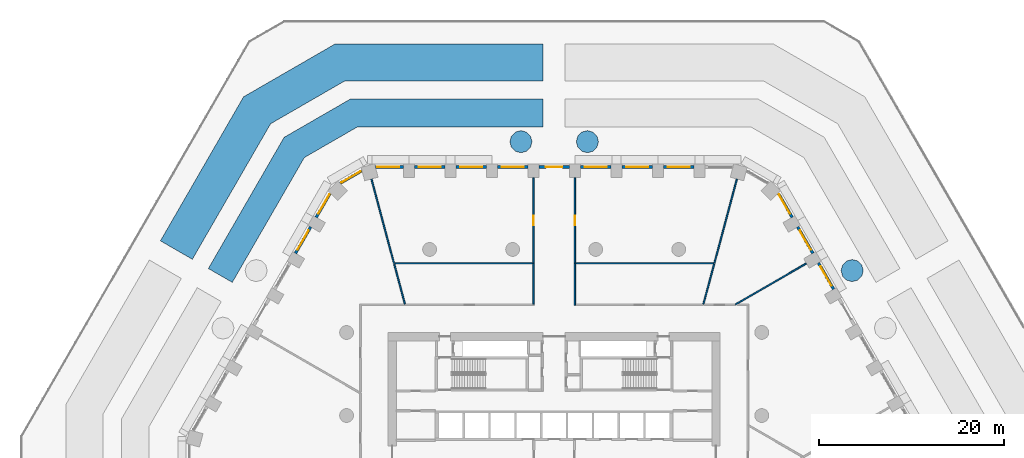
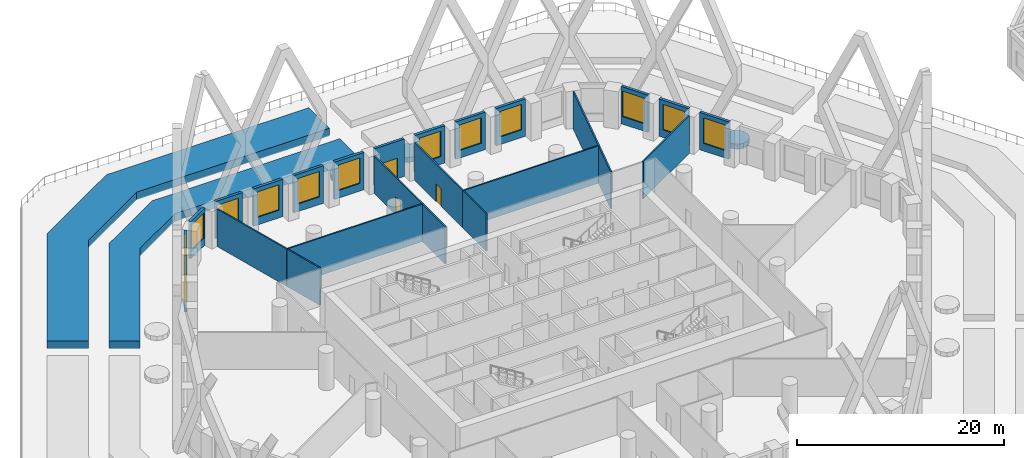
# One storey, part 12 of 27: 30 walls, 13 windows, 3 doors, 16 openings.
"""IFC4 building model written with IfcOpenShell, lengths in metres."""

from ifc_helpers import new_model, si_unit, direction, frame, frame_2d, origin, place, context, subcontext, project, spatial, polyline, rectangle, outline, extrude, material, layer, layer_set, type_object, element, fill, save


model = new_model("IFC4")

# Units and contexts
model_context = context("Model", 3, precision=1e-05, world=origin(), true_north=direction((0.0, 1.0)))
body_context = subcontext(model_context, "Body", "Model", "MODEL_VIEW")
ifc_project = project(units=[si_unit("LENGTHUNIT", "METRE"), si_unit("AREAUNIT", "SQUARE_METRE"), si_unit("VOLUMEUNIT", "CUBIC_METRE"), si_unit("PLANEANGLEUNIT", "RADIAN"), si_unit("MASSUNIT", "GRAM", prefix="KILO")], contexts=[model_context])

# Site, building, storey
site_placement = place(None, origin())
site = spatial("IfcSite", under=ifc_project, at=site_placement, CompositionType="ELEMENT")
building_placement = place(site_placement, origin())
building = spatial("IfcBuilding", under=site, at=building_placement, Name="Dhurran Vertical Campus", CompositionType="ELEMENT")
storey_placement = place(building_placement, frame((0.0, 0.0, 10.800048828125)))
storey = spatial("IfcBuildingStorey", under=building, at=storey_placement, Name="L02", CompositionType="ELEMENT", Elevation=10.800048828125)

# Wall, opening, window
ifc_material_1 = material(Name="Precast concrete C50/60", Category="concrete")
ifc_layer_1 = layer(ifc_material_1, 0.300048828125)
ifc_layer_set_1 = layer_set([ifc_layer_1], Name="Precast concrete C50/60")
wall_type_1 = type_object("IfcWallType", Name="Precast spandrel wall 300", PredefinedType="SOLIDWALL", material=ifc_layer_set_1)
wall_1_placement = place(storey_placement, frame((30.293701171875, 18.18359375, 0.0), z_axis=(0.0, 0.0, 1.0), x_axis=(-0.499991515992, 0.866030301974, 0.0)))
wall_1 = element("IfcWall", 1, at=wall_1_placement, inside=storey, type_object=wall_type_1, Name="EW1 L02.22", PredefinedType="SOLIDWALL", context=body_context, shape_type="SweptSolid", body=[
    extrude(rectangle(XDim=3.298828125, YDim=0.300048828125, at=frame_2d((1.6494140625, 0.0))), origin(), (0.0, 0.0, 1.0), 4.39990234375),
])
opening_1_placement = place(wall_1_placement, frame((0.449462890625, 0.0, 0.89990234375)))
opening_1 = element("IfcOpeningElement", 2, at=opening_1_placement, cuts=wall_1, Name="Opening WT2", PredefinedType="OPENING", context=body_context, shape_type="SweptSolid", body=[
    extrude(rectangle(XDim=2.39990234375, YDim=3.0, at=frame_2d((1.199951171875, 1.5))), frame((0.0, 0.159912109375, 0.0), z_axis=(0.0, -1.0, 0.0), x_axis=(1.0, 0.0, 0.0)), (0.0, 0.0, 1.0), 0.320068359375),
])
ifc_material_2 = material(Name="Aluminium frame with solar-control glass", Category="aluminium")
window_type = type_object("IfcWindowType", Name="Podium window 2400 x 3000", PartitioningType="SINGLE_PANEL", PredefinedType="WINDOW", material=ifc_material_2)
window_1_placement = place(opening_1_placement, origin())
window_1 = element("IfcWindow", 3, at=window_1_placement, inside=storey, type_object=window_type, Name="WT2 L02.22", OverallHeight=3.0, OverallWidth=2.39990234375, PartitioningType="SINGLE_PANEL", PredefinedType="WINDOW", context=body_context, shape_type="SweptSolid", body=[
    extrude(rectangle(XDim=2.39990234375, YDim=3.0, at=frame_2d((1.199951171875, 1.5))), frame((0.0, 0.030029296875, 0.0), z_axis=(0.0, -1.0, 0.0), x_axis=(1.0, 0.0, 0.0)), (0.0, 0.0, 1.0), 0.06005859375),
])
fill(opening_1, window_1)

wall_2_placement = place(storey_placement, frame((28.043701171875, 22.08056640625, 0.0), z_axis=(0.0, 0.0, 1.0), x_axis=(-0.499991515992, 0.866030301974, 0.0)))
wall_2 = element("IfcWall", 4, at=wall_2_placement, inside=storey, type_object=wall_type_1, Name="EW1 L02.23", PredefinedType="SOLIDWALL", context=body_context, shape_type="SweptSolid", body=[
    extrude(rectangle(XDim=3.298828125, YDim=0.300048828125, at=frame_2d((1.6494140625, 0.0))), origin(), (0.0, 0.0, 1.0), 4.39990234375),
])
opening_2_placement = place(wall_2_placement, frame((0.449462890625, 0.0, 0.89990234375)))
opening_2 = element("IfcOpeningElement", 5, at=opening_2_placement, cuts=wall_2, Name="Opening WT2", PredefinedType="OPENING", context=body_context, shape_type="SweptSolid", body=[
    extrude(rectangle(XDim=2.39990234375, YDim=3.0, at=frame_2d((1.199951171875, 1.5))), frame((0.0, 0.159912109375, 0.0), z_axis=(0.0, -1.0, 0.0), x_axis=(1.0, 0.0, 0.0)), (0.0, 0.0, 1.0), 0.320068359375),
])
window_2_placement = place(opening_2_placement, origin())
window_2 = element("IfcWindow", 6, at=window_2_placement, inside=storey, type_object=window_type, Name="WT2 L02.23", OverallHeight=3.0, OverallWidth=2.39990234375, PartitioningType="SINGLE_PANEL", PredefinedType="WINDOW", context=body_context, shape_type="SweptSolid", body=[
    extrude(rectangle(XDim=2.39990234375, YDim=3.0, at=frame_2d((1.199951171875, 1.5))), frame((0.0, 0.030029296875, 0.0), z_axis=(0.0, -1.0, 0.0), x_axis=(1.0, 0.0, 0.0)), (0.0, 0.0, 1.0), 0.06005859375),
])
fill(opening_2, window_2)

wall_3_placement = place(storey_placement, frame((25.793701171875, 25.977783203125, 0.0), z_axis=(0.0, 0.0, 1.0), x_axis=(-0.49999586137, 0.866027793211, 0.0)))
wall_3 = element("IfcWall", 7, at=wall_3_placement, inside=storey, type_object=wall_type_1, Name="EW1 L02.24", PredefinedType="SOLIDWALL", context=body_context, shape_type="SweptSolid", body=[
    extrude(rectangle(XDim=2.98876953125, YDim=0.300048828125, at=frame_2d((1.494384765625, 0.0))), origin(), (0.0, 0.0, 1.0), 4.39990234375),
])
opening_3_placement = place(wall_3_placement, frame((0.449462890625, 0.0, 0.89990234375)))
opening_3 = element("IfcOpeningElement", 8, at=opening_3_placement, cuts=wall_3, Name="Opening WT2", PredefinedType="OPENING", context=body_context, shape_type="SweptSolid", body=[
    extrude(rectangle(XDim=2.39990234375, YDim=3.0, at=frame_2d((1.199951171875, 1.5))), frame((0.0, 0.159912109375, 0.0), z_axis=(0.0, -1.0, 0.0), x_axis=(1.0, 0.0, 0.0)), (0.0, 0.0, 1.0), 0.320068359375),
])
window_3_placement = place(opening_3_placement, origin())
window_3 = element("IfcWindow", 9, at=window_3_placement, inside=storey, type_object=window_type, Name="WT2 L02.24", OverallHeight=3.0, OverallWidth=2.39990234375, PartitioningType="SINGLE_PANEL", PredefinedType="WINDOW", context=body_context, shape_type="SweptSolid", body=[
    extrude(rectangle(XDim=2.39990234375, YDim=3.0, at=frame_2d((1.199951171875, 1.5))), frame((0.0, 0.030029296875, 0.0), z_axis=(0.0, -1.0, 0.0), x_axis=(1.0, 0.0, 0.0)), (0.0, 0.0, 1.0), 0.06005859375),
])
fill(opening_3, window_3)

wall_4_placement = place(storey_placement, frame((15.1494140625, 31.4296875, 0.0), z_axis=(0.0, 0.0, 1.0), x_axis=(-1.0, 0.0, 0.0)))
wall_4 = element("IfcWall", 10, at=wall_4_placement, inside=storey, type_object=wall_type_1, Name="EW1 L02.27", PredefinedType="SOLIDWALL", context=body_context, shape_type="SweptSolid", body=[
    extrude(rectangle(XDim=3.298828125, YDim=0.300048828125, at=frame_2d((1.6494140625, 0.0))), origin(), (0.0, 0.0, 1.0), 4.39990234375),
])
opening_4_placement = place(wall_4_placement, frame((0.449462890625, 0.0, 0.89990234375)))
opening_4 = element("IfcOpeningElement", 11, at=opening_4_placement, cuts=wall_4, Name="Opening WT2", PredefinedType="OPENING", context=body_context, shape_type="SweptSolid", body=[
    extrude(rectangle(XDim=2.39990234375, YDim=3.0, at=frame_2d((1.199951171875, 1.5))), frame((0.0, 0.159912109375, 0.0), z_axis=(0.0, -1.0, 0.0), x_axis=(1.0, 0.0, 0.0)), (0.0, 0.0, 1.0), 0.320068359375),
])
window_4_placement = place(opening_4_placement, origin())
window_4 = element("IfcWindow", 12, at=window_4_placement, inside=storey, type_object=window_type, Name="WT2 L02.27", OverallHeight=3.0, OverallWidth=2.39990234375, PartitioningType="SINGLE_PANEL", PredefinedType="WINDOW", context=body_context, shape_type="SweptSolid", body=[
    extrude(rectangle(XDim=2.39990234375, YDim=3.0, at=frame_2d((1.199951171875, 1.5))), frame((0.0, 0.030029296875, 0.0), z_axis=(0.0, -1.0, 0.0), x_axis=(1.0, 0.0, 0.0)), (0.0, 0.0, 1.0), 0.06005859375),
])
fill(opening_4, window_4)

wall_5_placement = place(storey_placement, frame((10.6494140625, 31.4296875, 0.0), z_axis=(0.0, 0.0, 1.0), x_axis=(-1.0, 0.0, 0.0)))
wall_5 = element("IfcWall", 13, at=wall_5_placement, inside=storey, type_object=wall_type_1, Name="EW1 L02.28", PredefinedType="SOLIDWALL", context=body_context, shape_type="SweptSolid", body=[
    extrude(rectangle(XDim=3.298828125, YDim=0.300048828125, at=frame_2d((1.6494140625, 0.0))), origin(), (0.0, 0.0, 1.0), 4.39990234375),
])
opening_5_placement = place(wall_5_placement, frame((0.449462890625, 0.0, 0.89990234375)))
opening_5 = element("IfcOpeningElement", 14, at=opening_5_placement, cuts=wall_5, Name="Opening WT2", PredefinedType="OPENING", context=body_context, shape_type="SweptSolid", body=[
    extrude(rectangle(XDim=2.39990234375, YDim=3.0, at=frame_2d((1.199951171875, 1.5))), frame((0.0, 0.159912109375, 0.0), z_axis=(0.0, -1.0, 0.0), x_axis=(1.0, 0.0, 0.0)), (0.0, 0.0, 1.0), 0.320068359375),
])
window_5_placement = place(opening_5_placement, origin())
window_5 = element("IfcWindow", 15, at=window_5_placement, inside=storey, type_object=window_type, Name="WT2 L02.28", OverallHeight=3.0, OverallWidth=2.39990234375, PartitioningType="SINGLE_PANEL", PredefinedType="WINDOW", context=body_context, shape_type="SweptSolid", body=[
    extrude(rectangle(XDim=2.39990234375, YDim=3.0, at=frame_2d((1.199951171875, 1.5))), frame((0.0, 0.030029296875, 0.0), z_axis=(0.0, -1.0, 0.0), x_axis=(1.0, 0.0, 0.0)), (0.0, 0.0, 1.0), 0.06005859375),
])
fill(opening_5, window_5)

wall_6_placement = place(storey_placement, frame((6.1494140625, 31.4296875, 0.0), z_axis=(0.0, 0.0, 1.0), x_axis=(-1.0, 0.0, 0.0)))
wall_6 = element("IfcWall", 16, at=wall_6_placement, inside=storey, type_object=wall_type_1, Name="EW1 L02.29", PredefinedType="SOLIDWALL", context=body_context, shape_type="SweptSolid", body=[
    extrude(rectangle(XDim=3.298828125, YDim=0.300048828125, at=frame_2d((1.6494140625, 0.0))), origin(), (0.0, 0.0, 1.0), 4.39990234375),
])
opening_6_placement = place(wall_6_placement, frame((0.449462890625, 0.0, 0.89990234375)))
opening_6 = element("IfcOpeningElement", 17, at=opening_6_placement, cuts=wall_6, Name="Opening WT2", PredefinedType="OPENING", context=body_context, shape_type="SweptSolid", body=[
    extrude(rectangle(XDim=2.39990234375, YDim=3.0, at=frame_2d((1.199951171875, 1.5))), frame((0.0, 0.159912109375, 0.0), z_axis=(0.0, -1.0, 0.0), x_axis=(1.0, 0.0, 0.0)), (0.0, 0.0, 1.0), 0.320068359375),
])
window_6_placement = place(opening_6_placement, origin())
window_6 = element("IfcWindow", 18, at=window_6_placement, inside=storey, type_object=window_type, Name="WT2 L02.29", OverallHeight=3.0, OverallWidth=2.39990234375, PartitioningType="SINGLE_PANEL", PredefinedType="WINDOW", context=body_context, shape_type="SweptSolid", body=[
    extrude(rectangle(XDim=2.39990234375, YDim=3.0, at=frame_2d((1.199951171875, 1.5))), frame((0.0, 0.030029296875, 0.0), z_axis=(0.0, -1.0, 0.0), x_axis=(1.0, 0.0, 0.0)), (0.0, 0.0, 1.0), 0.06005859375),
])
fill(opening_6, window_6)

# Wall, opening, door
wall_7_placement = place(storey_placement, frame((-1.6494140625, 31.4296875, 0.0), z_axis=(0.0, 0.0, 1.0), x_axis=(1.0, 0.0, 0.0)))
wall_7 = element("IfcWall", 19, at=wall_7_placement, inside=storey, type_object=wall_type_1, Name="EW1 L02.30", PredefinedType="SOLIDWALL", context=body_context, shape_type="SweptSolid", body=[
    extrude(rectangle(XDim=3.298828125, YDim=0.300048828125, at=frame_2d((1.6494140625, 0.0))), origin(), (0.0, 0.0, 1.0), 4.39990234375),
])
opening_7_placement = place(wall_7_placement, frame((0.74951171875, 0.0, 0.0)))
opening_7 = element("IfcOpeningElement", 20, at=opening_7_placement, cuts=wall_7, Name="Opening D102", PredefinedType="OPENING", context=body_context, shape_type="SweptSolid", body=[
    extrude(rectangle(XDim=1.800048828125, YDim=2.39990234375, at=frame_2d((0.89990234375, 1.199951171875))), frame((0.0, 0.159912109375, 0.0), z_axis=(0.0, -1.0, 0.0), x_axis=(1.0, 0.0, 0.0)), (0.0, 0.0, 1.0), 0.320068359375),
])
ifc_material_3 = material(Name="Aluminium and clear glass", Category="aluminium")
door_type_1 = type_object("IfcDoorType", Name="Aluminium and glass garden door pair 1800 x 2400", OperationType="DOUBLE_DOOR_SINGLE_SWING", PredefinedType="DOOR", material=ifc_material_3)
door_1_placement = place(opening_7_placement, origin())
door_1 = element("IfcDoor", 21, at=door_1_placement, inside=storey, type_object=door_type_1, Name="D102 garden deck door", OperationType="DOUBLE_DOOR_SINGLE_SWING", OverallHeight=2.39990234375, OverallWidth=1.800048828125, PredefinedType="DOOR", context=body_context, shape_type="SweptSolid", body=[
    extrude(rectangle(XDim=1.800048828125, YDim=2.39990234375, at=frame_2d((0.89990234375, 1.199951171875))), frame((0.0, 0.02490234375, 0.0), z_axis=(0.0, -1.0, 0.0), x_axis=(1.0, 0.0, 0.0)), (0.0, 0.0, 1.0), 0.050048828125),
])
fill(opening_7, door_1)

# Wall, opening, window
wall_8_placement = place(storey_placement, frame((-2.8505859375, 31.4296875, 0.0), z_axis=(0.0, 0.0, 1.0), x_axis=(-1.0, 0.0, 0.0)))
wall_8 = element("IfcWall", 22, at=wall_8_placement, inside=storey, type_object=wall_type_1, Name="EW1 L02.31", PredefinedType="SOLIDWALL", context=body_context, shape_type="SweptSolid", body=[
    extrude(rectangle(XDim=3.298828125, YDim=0.300048828125, at=frame_2d((1.6494140625, 0.0))), origin(), (0.0, 0.0, 1.0), 4.39990234375),
])
opening_8_placement = place(wall_8_placement, frame((0.449462890625, 0.0, 0.89990234375)))
opening_8 = element("IfcOpeningElement", 23, at=opening_8_placement, cuts=wall_8, Name="Opening WT2", PredefinedType="OPENING", context=body_context, shape_type="SweptSolid", body=[
    extrude(rectangle(XDim=2.39990234375, YDim=3.0, at=frame_2d((1.199951171875, 1.5))), frame((0.0, 0.159912109375, 0.0), z_axis=(0.0, -1.0, 0.0), x_axis=(1.0, 0.0, 0.0)), (0.0, 0.0, 1.0), 0.320068359375),
])
window_7_placement = place(opening_8_placement, origin())
window_7 = element("IfcWindow", 24, at=window_7_placement, inside=storey, type_object=window_type, Name="WT2 L02.31", OverallHeight=3.0, OverallWidth=2.39990234375, PartitioningType="SINGLE_PANEL", PredefinedType="WINDOW", context=body_context, shape_type="SweptSolid", body=[
    extrude(rectangle(XDim=2.39990234375, YDim=3.0, at=frame_2d((1.199951171875, 1.5))), frame((0.0, 0.030029296875, 0.0), z_axis=(0.0, -1.0, 0.0), x_axis=(1.0, 0.0, 0.0)), (0.0, 0.0, 1.0), 0.06005859375),
])
fill(opening_8, window_7)

wall_9_placement = place(storey_placement, frame((-7.3505859375, 31.4296875, 0.0), z_axis=(0.0, 0.0, 1.0), x_axis=(-1.0, 0.0, 0.0)))
wall_9 = element("IfcWall", 25, at=wall_9_placement, inside=storey, type_object=wall_type_1, Name="EW1 L02.32", PredefinedType="SOLIDWALL", context=body_context, shape_type="SweptSolid", body=[
    extrude(rectangle(XDim=3.298828125, YDim=0.300048828125, at=frame_2d((1.6494140625, 0.0))), origin(), (0.0, 0.0, 1.0), 4.39990234375),
])
opening_9_placement = place(wall_9_placement, frame((0.449462890625, 0.0, 0.89990234375)))
opening_9 = element("IfcOpeningElement", 26, at=opening_9_placement, cuts=wall_9, Name="Opening WT2", PredefinedType="OPENING", context=body_context, shape_type="SweptSolid", body=[
    extrude(rectangle(XDim=2.39990234375, YDim=3.0, at=frame_2d((1.199951171875, 1.5))), frame((0.0, 0.159912109375, 0.0), z_axis=(0.0, -1.0, 0.0), x_axis=(1.0, 0.0, 0.0)), (0.0, 0.0, 1.0), 0.320068359375),
])
window_8_placement = place(opening_9_placement, origin())
window_8 = element("IfcWindow", 27, at=window_8_placement, inside=storey, type_object=window_type, Name="WT2 L02.32", OverallHeight=3.0, OverallWidth=2.39990234375, PartitioningType="SINGLE_PANEL", PredefinedType="WINDOW", context=body_context, shape_type="SweptSolid", body=[
    extrude(rectangle(XDim=2.39990234375, YDim=3.0, at=frame_2d((1.199951171875, 1.5))), frame((0.0, 0.030029296875, 0.0), z_axis=(0.0, -1.0, 0.0), x_axis=(1.0, 0.0, 0.0)), (0.0, 0.0, 1.0), 0.06005859375),
])
fill(opening_9, window_8)

wall_10_placement = place(storey_placement, frame((-11.8505859375, 31.4296875, 0.0), z_axis=(0.0, 0.0, 1.0), x_axis=(-1.0, 0.0, 0.0)))
wall_10 = element("IfcWall", 28, at=wall_10_placement, inside=storey, type_object=wall_type_1, Name="EW1 L02.33", PredefinedType="SOLIDWALL", context=body_context, shape_type="SweptSolid", body=[
    extrude(rectangle(XDim=3.298828125, YDim=0.300048828125, at=frame_2d((1.6494140625, 0.0))), origin(), (0.0, 0.0, 1.0), 4.39990234375),
])
opening_10_placement = place(wall_10_placement, frame((0.449462890625, 0.0, 0.89990234375)))
opening_10 = element("IfcOpeningElement", 29, at=opening_10_placement, cuts=wall_10, Name="Opening WT2", PredefinedType="OPENING", context=body_context, shape_type="SweptSolid", body=[
    extrude(rectangle(XDim=2.39990234375, YDim=3.0, at=frame_2d((1.199951171875, 1.5))), frame((0.0, 0.159912109375, 0.0), z_axis=(0.0, -1.0, 0.0), x_axis=(1.0, 0.0, 0.0)), (0.0, 0.0, 1.0), 0.320068359375),
])
window_9_placement = place(opening_10_placement, origin())
window_9 = element("IfcWindow", 30, at=window_9_placement, inside=storey, type_object=window_type, Name="WT2 L02.33", OverallHeight=3.0, OverallWidth=2.39990234375, PartitioningType="SINGLE_PANEL", PredefinedType="WINDOW", context=body_context, shape_type="SweptSolid", body=[
    extrude(rectangle(XDim=2.39990234375, YDim=3.0, at=frame_2d((1.199951171875, 1.5))), frame((0.0, 0.030029296875, 0.0), z_axis=(0.0, -1.0, 0.0), x_axis=(1.0, 0.0, 0.0)), (0.0, 0.0, 1.0), 0.06005859375),
])
fill(opening_10, window_9)

wall_11_placement = place(storey_placement, frame((-16.3505859375, 31.4296875, 0.0), z_axis=(0.0, 0.0, 1.0), x_axis=(-1.0, 0.0, 0.0)))
wall_11 = element("IfcWall", 31, at=wall_11_placement, inside=storey, type_object=wall_type_1, Name="EW1 L02.34", PredefinedType="SOLIDWALL", context=body_context, shape_type="SweptSolid", body=[
    extrude(rectangle(XDim=2.98876953125, YDim=0.300048828125, at=frame_2d((1.494384765625, 0.0))), origin(), (0.0, 0.0, 1.0), 4.39990234375),
])
opening_11_placement = place(wall_11_placement, frame((0.449462890625, 0.0, 0.89990234375)))
opening_11 = element("IfcOpeningElement", 32, at=opening_11_placement, cuts=wall_11, Name="Opening WT2", PredefinedType="OPENING", context=body_context, shape_type="SweptSolid", body=[
    extrude(rectangle(XDim=2.39990234375, YDim=3.0, at=frame_2d((1.199951171875, 1.5))), frame((0.0, 0.159912109375, 0.0), z_axis=(0.0, -1.0, 0.0), x_axis=(1.0, 0.0, 0.0)), (0.0, 0.0, 1.0), 0.320068359375),
])
window_10_placement = place(opening_11_placement, origin())
window_10 = element("IfcWindow", 33, at=window_10_placement, inside=storey, type_object=window_type, Name="WT2 L02.34", OverallHeight=3.0, OverallWidth=2.39990234375, PartitioningType="SINGLE_PANEL", PredefinedType="WINDOW", context=body_context, shape_type="SweptSolid", body=[
    extrude(rectangle(XDim=2.39990234375, YDim=3.0, at=frame_2d((1.199951171875, 1.5))), frame((0.0, 0.030029296875, 0.0), z_axis=(0.0, -1.0, 0.0), x_axis=(1.0, 0.0, 0.0)), (0.0, 0.0, 1.0), 0.06005859375),
])
fill(opening_11, window_10)

wall_12_placement = place(storey_placement, frame((-20.86376953125, 31.021240234375, 0.0), z_axis=(0.0, 0.0, 1.0), x_axis=(-0.866001915448, -0.500040680786, 0.0)))
wall_12 = element("IfcWall", 34, at=wall_12_placement, inside=storey, type_object=wall_type_1, Name="EW1 L02.35", PredefinedType="SOLIDWALL", context=body_context, shape_type="SweptSolid", body=[
    extrude(rectangle(XDim=2.678466796875, YDim=0.300048828125, at=frame_2d((1.33935546875, 0.0))), origin(), (0.0, 0.0, 1.0), 4.39990234375),
])
opening_12_placement = place(wall_12_placement, frame((0.139404296875, 0.0, 0.89990234375)))
opening_12 = element("IfcOpeningElement", 35, at=opening_12_placement, cuts=wall_12, Name="Opening WT2", PredefinedType="OPENING", context=body_context, shape_type="SweptSolid", body=[
    extrude(rectangle(XDim=2.39990234375, YDim=3.0, at=frame_2d((1.199951171875, 1.5))), frame((0.0, 0.159912109375, 0.0), z_axis=(0.0, -1.0, 0.0), x_axis=(1.0, 0.0, 0.0)), (0.0, 0.0, 1.0), 0.320068359375),
])
window_11_placement = place(opening_12_placement, origin())
window_11 = element("IfcWindow", 36, at=window_11_placement, inside=storey, type_object=window_type, Name="WT2 L02.35", OverallHeight=3.0, OverallWidth=2.39990234375, PartitioningType="SINGLE_PANEL", PredefinedType="WINDOW", context=body_context, shape_type="SweptSolid", body=[
    extrude(rectangle(XDim=2.39990234375, YDim=3.0, at=frame_2d((1.199951171875, 1.5))), frame((0.0, 0.030029296875, 0.0), z_axis=(0.0, -1.0, 0.0), x_axis=(1.0, 0.0, 0.0)), (0.0, 0.0, 1.0), 0.06005859375),
])
fill(opening_12, window_11)

wall_13_placement = place(storey_placement, frame((-24.29931640625, 28.566162109375, 0.0), z_axis=(0.0, 0.0, 1.0), x_axis=(-0.49999586137, -0.866027793211, 0.0)))
wall_13 = element("IfcWall", 37, at=wall_13_placement, inside=storey, type_object=wall_type_1, Name="EW1 L02.36", PredefinedType="SOLIDWALL", context=body_context, shape_type="SweptSolid", body=[
    extrude(rectangle(XDim=2.98876953125, YDim=0.300048828125, at=frame_2d((1.494384765625, 0.0))), origin(), (0.0, 0.0, 1.0), 4.39990234375),
])
opening_13_placement = place(wall_13_placement, frame((0.139404296875, 0.0, 0.89990234375)))
opening_13 = element("IfcOpeningElement", 38, at=opening_13_placement, cuts=wall_13, Name="Opening WT2", PredefinedType="OPENING", context=body_context, shape_type="SweptSolid", body=[
    extrude(rectangle(XDim=2.39990234375, YDim=3.0, at=frame_2d((1.199951171875, 1.5))), frame((0.0, 0.159912109375, 0.0), z_axis=(0.0, -1.0, 0.0), x_axis=(1.0, 0.0, 0.0)), (0.0, 0.0, 1.0), 0.320068359375),
])
window_12_placement = place(opening_13_placement, origin())
window_12 = element("IfcWindow", 39, at=window_12_placement, inside=storey, type_object=window_type, Name="WT2 L02.36", OverallHeight=3.0, OverallWidth=2.39990234375, PartitioningType="SINGLE_PANEL", PredefinedType="WINDOW", context=body_context, shape_type="SweptSolid", body=[
    extrude(rectangle(XDim=2.39990234375, YDim=3.0, at=frame_2d((1.199951171875, 1.5))), frame((0.0, 0.030029296875, 0.0), z_axis=(0.0, -1.0, 0.0), x_axis=(1.0, 0.0, 0.0)), (0.0, 0.0, 1.0), 0.06005859375),
])
fill(opening_13, window_12)

wall_14_placement = place(storey_placement, frame((-26.394287109375, 24.9375, 0.0), z_axis=(0.0, 0.0, 1.0), x_axis=(-0.499991515992, -0.866030301974, 0.0)))
wall_14 = element("IfcWall", 40, at=wall_14_placement, inside=storey, type_object=wall_type_1, Name="EW1 L02.37", PredefinedType="SOLIDWALL", context=body_context, shape_type="SweptSolid", body=[
    extrude(rectangle(XDim=3.298828125, YDim=0.300048828125, at=frame_2d((1.6494140625, 0.0))), origin(), (0.0, 0.0, 1.0), 4.39990234375),
])
opening_14_placement = place(wall_14_placement, frame((0.449462890625, 0.0, 0.89990234375)))
opening_14 = element("IfcOpeningElement", 41, at=opening_14_placement, cuts=wall_14, Name="Opening WT2", PredefinedType="OPENING", context=body_context, shape_type="SweptSolid", body=[
    extrude(rectangle(XDim=2.39990234375, YDim=3.0, at=frame_2d((1.199951171875, 1.5))), frame((0.0, 0.159912109375, 0.0), z_axis=(0.0, -1.0, 0.0), x_axis=(1.0, 0.0, 0.0)), (0.0, 0.0, 1.0), 0.320068359375),
])
window_13_placement = place(opening_14_placement, origin())
window_13 = element("IfcWindow", 42, at=window_13_placement, inside=storey, type_object=window_type, Name="WT2 L02.37", OverallHeight=3.0, OverallWidth=2.39990234375, PartitioningType="SINGLE_PANEL", PredefinedType="WINDOW", context=body_context, shape_type="SweptSolid", body=[
    extrude(rectangle(XDim=2.39990234375, YDim=3.0, at=frame_2d((1.199951171875, 1.5))), frame((0.0, 0.030029296875, 0.0), z_axis=(0.0, -1.0, 0.0), x_axis=(1.0, 0.0, 0.0)), (0.0, 0.0, 1.0), 0.06005859375),
])
fill(opening_14, window_13)

# Wall
ifc_material_4 = material(Name="Gypsum board corridor wall on steel studs", Category="steel")
ifc_layer_2 = layer(ifc_material_4, 0.14990234375)
ifc_layer_set_2 = layer_set([ifc_layer_2], Name="Gypsum board corridor wall on steel studs")
wall_type_2 = type_object("IfcWallType", Name="fl-CW-150 corridor wall", PredefinedType="PARTITIONING", material=ifc_layer_set_2)
wall_15_placement = place(storey_placement, frame((-2.25, 16.574951171875, 0.0), z_axis=(0.0, 0.0, 1.0), x_axis=(0.0, 1.0, 0.0)))
element("IfcWall", 43, at=wall_15_placement, inside=storey, type_object=wall_type_2, Name="Partition 02-16", PredefinedType="PARTITIONING", context=body_context, shape_type="SweptSolid", body=[
    extrude(rectangle(XDim=4.425048828125, YDim=0.14990234375, at=frame_2d((2.21240234375, 0.0))), origin(), (0.0, 0.0, 1.0), 4.39990234375),
])

# Wall, opening, door
wall_16_placement = place(storey_placement, frame((-2.25, 21.0, 0.0), z_axis=(0.0, 0.0, 1.0), x_axis=(0.0, 1.0, 0.0)))
wall_16 = element("IfcWall", 44, at=wall_16_placement, inside=storey, type_object=wall_type_2, Name="Partition 02-17", PredefinedType="PARTITIONING", context=body_context, shape_type="SweptSolid", body=[
    extrude(rectangle(XDim=9.259765625, YDim=0.14990234375, at=frame_2d((4.6298828125, 0.0))), origin(), (0.0, 0.0, 1.0), 4.39990234375),
])
opening_15_placement = place(wall_16_placement, frame((4.1298828125, 0.0, 0.0)))
opening_15 = element("IfcOpeningElement", 45, at=opening_15_placement, cuts=wall_16, Name="Opening PD02.04", PredefinedType="OPENING", context=body_context, shape_type="SweptSolid", body=[
    extrude(rectangle(XDim=1.0, YDim=2.10009765625, at=frame_2d((0.5, 1.050048828125))), frame((0.0, 0.0849609375, 0.0), z_axis=(0.0, -1.0, 0.0), x_axis=(1.0, 0.0, 0.0)), (0.0, 0.0, 1.0), 0.169921875),
])
ifc_material_5 = material(Name="Solid-core timber door set, fire-rated", Category="wood")
door_type_2 = type_object("IfcDoorType", Name="fl-D-1000x2100", OperationType="SINGLE_SWING_LEFT", PredefinedType="DOOR", material=ifc_material_5)
door_2_placement = place(opening_15_placement, origin())
door_2 = element("IfcDoor", 46, at=door_2_placement, inside=storey, type_object=door_type_2, Name="Door 02.04", OperationType="SINGLE_SWING_RIGHT", OverallHeight=2.10009765625, OverallWidth=1.0, PredefinedType="DOOR", context=body_context, shape_type="SweptSolid", body=[
    extrude(rectangle(XDim=1.0, YDim=2.10009765625, at=frame_2d((0.5, 1.050048828125))), frame((0.0, 0.02490234375, 0.0), z_axis=(0.0, -1.0, 0.0), x_axis=(1.0, 0.0, 0.0)), (0.0, 0.0, 1.0), 0.050048828125),
])
fill(opening_15, door_2)

# Wall
wall_17_placement = place(storey_placement, frame((2.25, 21.0, 0.0), z_axis=(0.0, 0.0, 1.0), x_axis=(0.0, -1.0, 0.0)))
element("IfcWall", 47, at=wall_17_placement, inside=storey, type_object=wall_type_2, Name="Partition 02-22", PredefinedType="PARTITIONING", context=body_context, shape_type="SweptSolid", body=[
    extrude(rectangle(XDim=4.574951171875, YDim=0.14990234375, at=frame_2d((2.28759765625, 0.0))), origin(), (0.0, 0.0, 1.0), 4.39990234375),
])

# Wall, opening, door
wall_18_placement = place(storey_placement, frame((2.25, 30.259765625, 0.0), z_axis=(0.0, 0.0, 1.0), x_axis=(0.0, -1.0, 0.0)))
wall_18 = element("IfcWall", 48, at=wall_18_placement, inside=storey, type_object=wall_type_2, Name="Partition 02-24", PredefinedType="PARTITIONING", context=body_context, shape_type="SweptSolid", body=[
    extrude(rectangle(XDim=9.259765625, YDim=0.14990234375, at=frame_2d((4.6298828125, 0.0))), origin(), (0.0, 0.0, 1.0), 4.39990234375),
])
opening_16_placement = place(wall_18_placement, frame((4.1298828125, 0.0, 0.0)))
opening_16 = element("IfcOpeningElement", 49, at=opening_16_placement, cuts=wall_18, Name="Opening PD02.09", PredefinedType="OPENING", context=body_context, shape_type="SweptSolid", body=[
    extrude(rectangle(XDim=1.0, YDim=2.10009765625, at=frame_2d((0.5, 1.050048828125))), frame((0.0, 0.0849609375, 0.0), z_axis=(0.0, -1.0, 0.0), x_axis=(1.0, 0.0, 0.0)), (0.0, 0.0, 1.0), 0.169921875),
])
door_3_placement = place(opening_16_placement, origin())
door_3 = element("IfcDoor", 50, at=door_3_placement, inside=storey, type_object=door_type_2, Name="Door 02.09", OperationType="SINGLE_SWING_RIGHT", OverallHeight=2.10009765625, OverallWidth=1.0, PredefinedType="DOOR", context=body_context, shape_type="SweptSolid", body=[
    extrude(rectangle(XDim=1.0, YDim=2.10009765625, at=frame_2d((0.5, 1.050048828125))), frame((0.0, 0.02490234375, 0.0), z_axis=(0.0, -1.0, 0.0), x_axis=(1.0, 0.0, 0.0)), (0.0, 0.0, 1.0), 0.050048828125),
])
fill(opening_16, door_3)

# Walls
ifc_material_6 = material(Name="Gypsum board partition on steel studs", Category="steel")
ifc_layer_3 = layer(ifc_material_6, 0.14990234375)
ifc_layer_set_3 = layer_set([ifc_layer_3], Name="Gypsum board partition on steel studs")
wall_type_3 = type_object("IfcWallType", Name="fl-PW-150 fixed partition", PredefinedType="PARTITIONING", material=ifc_layer_set_3)
wall_19_placement = place(storey_placement, frame((-19.804931640625, 30.117431640625, 0.0), z_axis=(0.0, 0.0, 1.0), x_axis=(0.258805468398, -0.965929464054, 0.0)))
element("IfcWall", 51, at=wall_19_placement, inside=storey, type_object=wall_type_3, Name="Partition 02-09", PredefinedType="PARTITIONING", context=body_context, shape_type="SweptSolid", body=[
    extrude(rectangle(XDim=9.43896484375, YDim=0.14990234375, at=frame_2d((4.719482421875, 0.0))), origin(), (0.0, 0.0, 1.0), 4.39990234375),
])
wall_20_placement = place(storey_placement, frame((-17.33740234375, 20.908203125, 0.0), z_axis=(0.0, 0.0, 1.0), x_axis=(0.258852599715, -0.965916834733, 0.0)))
element("IfcWall", 52, at=wall_20_placement, inside=storey, type_object=wall_type_3, Name="Partition 02-10", PredefinedType="PARTITIONING", context=body_context, shape_type="SweptSolid", body=[
    extrude(rectangle(XDim=4.46875, YDim=0.14990234375, at=frame_2d((2.234375, 0.0))), origin(), (0.0, 0.0, 1.0), 4.39990234375),
])
for number, where, z_axis, x_axis, name in (
    (53, (-2.324951171875, 21.0, 0.0), (0.0, 0.0, 1.0), (-1.0, 0.0, 0.0), "Partition 02-11"),
    (54, (2.324951171875, 21.0, 0.0), (0.0, 0.0, 1.0), (1.0, 0.0, 0.0), "Partition 02-25"),
):
    element("IfcWall", number, at=place(storey_placement, frame(where, z_axis=z_axis, x_axis=x_axis)), inside=storey, type_object=wall_type_3, Name=name, PredefinedType="PARTITIONING", context=body_context, shape_type="SweptSolid", body=[
        extrude(rectangle(XDim=14.962158203125, YDim=0.14990234375, at=frame_2d((7.48095703125, 0.0))), origin(), (0.0, 0.0, 1.0), 4.39990234375),
    ])
wall_21_placement = place(storey_placement, frame((17.33740234375, 20.908203125, 0.0), z_axis=(0.0, 0.0, 1.0), x_axis=(-0.258894670978, -0.965905559224, 0.0)))
element("IfcWall", 55, at=wall_21_placement, inside=storey, type_object=wall_type_3, Name="Partition 02-30", PredefinedType="PARTITIONING", context=body_context, shape_type="SweptSolid", body=[
    extrude(rectangle(XDim=4.48876953125, YDim=0.14990234375, at=frame_2d((2.244384765625, 0.0))), origin(), (0.0, 0.0, 1.0), 4.39990234375),
])
wall_22_placement = place(storey_placement, frame((19.804931640625, 30.117431640625, 0.0), z_axis=(0.0, 0.0, 1.0), x_axis=(-0.258805468398, -0.965929464054, 0.0)))
element("IfcWall", 56, at=wall_22_placement, inside=storey, type_object=wall_type_3, Name="Partition 02-32", PredefinedType="PARTITIONING", context=body_context, shape_type="SweptSolid", body=[
    extrude(rectangle(XDim=9.43896484375, YDim=0.14990234375, at=frame_2d((4.719482421875, 0.0))), origin(), (0.0, 0.0, 1.0), 4.39990234375),
])
wall_23_placement = place(storey_placement, frame((27.33056640625, 20.97607421875, 0.0), z_axis=(0.0, 0.0, 1.0), x_axis=(-0.866000072607, -0.50004387232, 0.0)))
element("IfcWall", 57, at=wall_23_placement, inside=storey, type_object=wall_type_3, Name="Partition 02-34", PredefinedType="PARTITIONING", context=body_context, shape_type="SweptSolid", body=[
    extrude(rectangle(XDim=8.876220703125, YDim=0.14990234375, at=frame_2d((4.43798828125, 0.0))), origin(), (0.0, 0.0, 1.0), 4.39990234375),
])
ifc_material_7 = material(Name="Concrete C35/45", Category="concrete")
ifc_layer_4 = layer(ifc_material_7, 3.0)
ifc_layer_set_4 = layer_set([ifc_layer_4], Name="Concrete C35/45")
wall_type_4 = type_object("IfcWallType", Name="st-planting bed 900", PredefinedType="SOLIDWALL", material=ifc_layer_set_4)
wall_24_placement = place(storey_placement, origin())
element("IfcWall", 58, at=wall_24_placement, inside=storey, type_object=wall_type_4, Name="Planter 09", PredefinedType="SOLIDWALL", context=body_context, shape_type="SweptSolid", body=[
    extrude(outline(polyline([(-37.484375, 20.42919921875), (-34.88623046875, 18.92919921875), (-27.0751953125, 32.4580078125), (-21.32177734375, 35.77978515625), (-1.199951171875, 35.77978515625), (-1.199951171875, 38.77978515625), (-22.12548828125, 38.77978515625), (-29.271484375, 34.654296875), (-37.484375, 20.42919921875)])), origin(), (0.0, 0.0, 1.0), 0.89990234375),
])
wall_25_placement = place(storey_placement, origin())
element("IfcWall", 59, at=wall_25_placement, inside=storey, type_object=wall_type_4, Name="Planter 11", PredefinedType="SOLIDWALL", context=body_context, shape_type="SweptSolid", body=[
    extrude(outline(polyline([(-42.680419921875, 23.42919921875), (-39.21630859375, 21.42919921875), (-30.735595703125, 36.118408203125), (-22.66162109375, 40.77978515625), (-1.199951171875, 40.77978515625), (-1.199951171875, 44.77978515625), (-23.7333984375, 44.77978515625), (-33.663818359375, 39.04638671875), (-42.680419921875, 23.42919921875)])), origin(), (0.0, 0.0, 1.0), 0.89990234375),
])
ifc_material_8 = material(Name="Concrete C35/45", Category="concrete")
ifc_layer_5 = layer(ifc_material_8, 2.39990234375)
ifc_layer_set_5 = layer_set([ifc_layer_5], Name="Concrete C35/45")
wall_type_5 = type_object("IfcWallType", Name="st-tree pit 600", PredefinedType="SOLIDWALL", material=ifc_layer_set_5)
wall_26_placement = place(storey_placement, origin())
element("IfcWall", 60, at=wall_26_placement, inside=storey, type_object=wall_type_5, Name="Tree pit 01", PredefinedType="SOLIDWALL", context=body_context, shape_type="SweptSolid", body=[
    extrude(outline(polyline([(4.800048828125, 34.1796875), (4.63916015625, 33.579833984375), (4.199951171875, 33.140625), (3.60009765625, 32.979736328125), (3.0, 33.140625), (2.560791015625, 33.579833984375), (2.39990234375, 34.1796875), (2.560791015625, 34.77978515625), (3.0, 35.218994140625), (3.60009765625, 35.3798828125), (4.199951171875, 35.218994140625), (4.63916015625, 34.77978515625), (4.800048828125, 34.1796875)])), origin(), (0.0, 0.0, 1.0), 0.599853515625),
])
wall_27_placement = place(storey_placement, origin())
element("IfcWall", 61, at=wall_27_placement, inside=storey, type_object=wall_type_5, Name="Tree pit 02", PredefinedType="SOLIDWALL", context=body_context, shape_type="SweptSolid", body=[
    extrude(outline(polyline([(-2.39990234375, 34.1796875), (-2.560791015625, 33.579833984375), (-3.0, 33.140625), (-3.60009765625, 32.979736328125), (-4.199951171875, 33.140625), (-4.63916015625, 33.579833984375), (-4.800048828125, 34.1796875), (-4.63916015625, 34.77978515625), (-4.199951171875, 35.218994140625), (-3.60009765625, 35.3798828125), (-3.0, 35.218994140625), (-2.560791015625, 34.77978515625), (-2.39990234375, 34.1796875)])), origin(), (0.0, 0.0, 1.0), 0.599853515625),
])
wall_28_placement = place(storey_placement, origin())
element("IfcWall", 62, at=wall_28_placement, inside=storey, type_object=wall_type_5, Name="Tree pit 06", PredefinedType="SOLIDWALL", context=body_context, shape_type="SweptSolid", body=[
    extrude(outline(polyline([(33.50048828125, 20.20751953125), (33.33984375, 19.607666015625), (32.900634765625, 19.16845703125), (32.300537109375, 19.007568359375), (31.70068359375, 19.16845703125), (31.26123046875, 19.607666015625), (31.1005859375, 20.20751953125), (31.26123046875, 20.8076171875), (31.70068359375, 21.246826171875), (32.300537109375, 21.40771484375), (32.900634765625, 21.246826171875), (33.33984375, 20.8076171875), (33.50048828125, 20.20751953125)])), origin(), (0.0, 0.0, 1.0), 0.599853515625),
])

save(model, "model.ifc")
